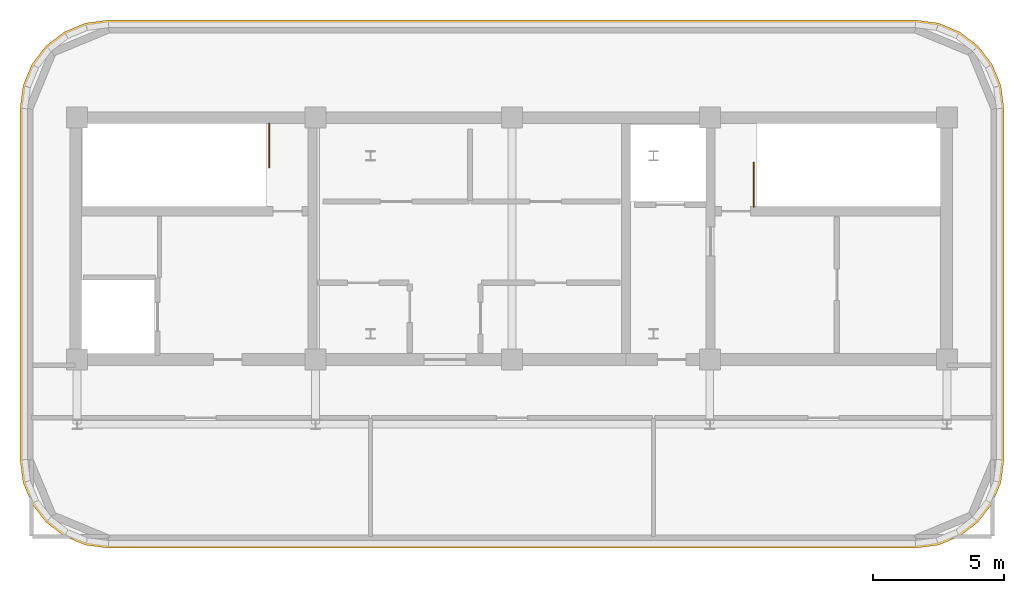
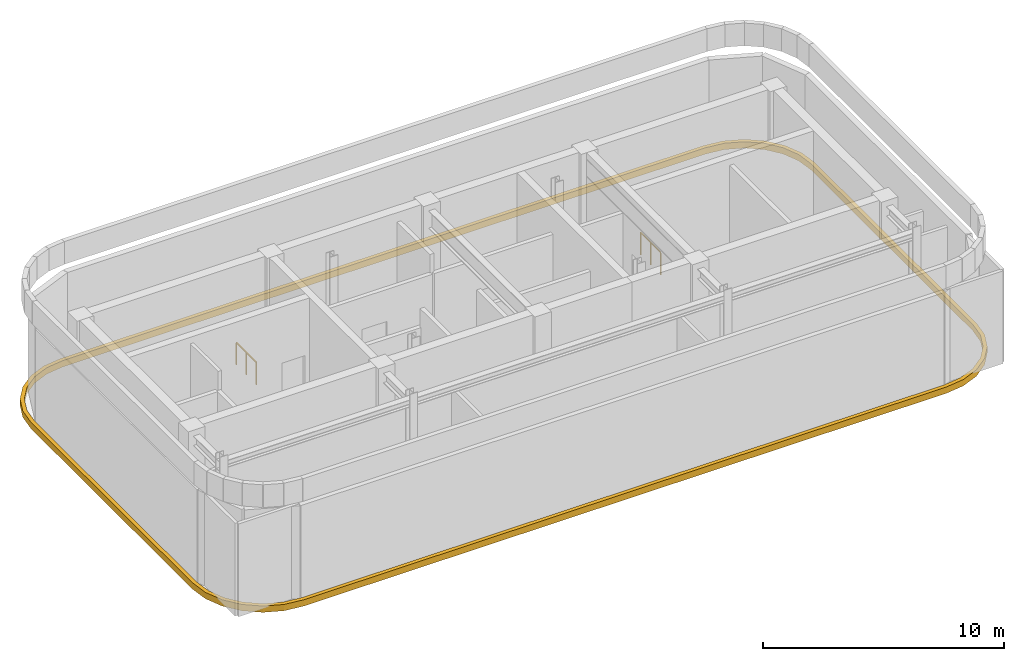
# One storey, part 4 of 4: 2 railings, 1 covering.
"""IFC4 building model written with IfcOpenShell, lengths in metres."""

from ifc_helpers import new_model, si_unit, direction, frame, origin, origin_2d, place, context, subcontext, project, spatial, polyline, rectangle, outline, extrude, material, type_object, element, save


model = new_model("IFC4")

# Units and contexts
model_context = context("Model", 3, precision=1e-05, world=origin(), true_north=direction((0.0, 1.0)))
body_context = subcontext(model_context, "Body", "Model", "MODEL_VIEW")
ifc_project = project(units=[si_unit("LENGTHUNIT", "METRE"), si_unit("AREAUNIT", "SQUARE_METRE"), si_unit("VOLUMEUNIT", "CUBIC_METRE"), si_unit("PLANEANGLEUNIT", "RADIAN"), si_unit("MASSUNIT", "GRAM", prefix="KILO")], contexts=[model_context])

# Site, building, storey
site_placement = place(None, origin())
site = spatial("IfcSite", under=ifc_project, at=site_placement, CompositionType="ELEMENT")
building_placement = place(site_placement, origin())
building = spatial("IfcBuilding", under=site, at=building_placement, Name="Zarnavel Station Tower", CompositionType="ELEMENT")
storey_placement = place(building_placement, frame((0.0, 0.0, 286.60009765625)))
storey = spatial("IfcBuildingStorey", under=building, at=storey_placement, Name="L77", CompositionType="ELEMENT", Elevation=286.60009765625)

# Covering
ifc_material_1 = material(Name="Precast concrete C45/55 (Pale Travertine Slab Band)", Category="masonry")
covering_type = type_object("IfcCoveringType", Name="COV_TRAVERTINE_BAND", PredefinedType="CLADDING", material=ifc_material_1)
covering_placement = place(storey_placement, frame((0.0, 0.0, -0.260009765625)))
element("IfcCovering", 1, at=covering_placement, inside=storey, type_object=covering_type, Name="L77 Pale Travertine Slab-Edge Band", PredefinedType="CLADDING", context=body_context, shape_type="SweptSolid", body=[
    extrude(outline(polyline([(44.199951171875, 20.6201171875), (45.07470703125, 20.735107421875), (45.889892578125, 21.07275390625), (46.590087890625, 21.610107421875), (47.127197265625, 22.31005859375), (47.46484375, 23.125244140625), (47.580078125, 24.0), (47.580078125, 37.39990234375), (47.46484375, 38.27490234375), (47.127197265625, 39.090087890625), (46.590087890625, 39.7900390625), (45.889892578125, 40.3271484375), (45.07470703125, 40.664794921875), (44.199951171875, 40.780029296875), (13.39990234375, 40.780029296875), (12.525146484375, 40.664794921875), (11.7099609375, 40.3271484375), (11.010009765625, 39.7900390625), (10.472900390625, 39.090087890625), (10.13525390625, 38.27490234375), (10.02001953125, 37.39990234375), (10.02001953125, 24.0), (10.13525390625, 23.125244140625), (10.472900390625, 22.31005859375), (11.010009765625, 21.610107421875), (11.7099609375, 21.07275390625), (12.525146484375, 20.735107421875), (13.39990234375, 20.6201171875), (44.199951171875, 20.6201171875)]), holes=[polyline([(44.199951171875, 20.800048828125), (45.0283203125, 20.908935546875), (45.800048828125, 21.228759765625), (46.462646484375, 21.7373046875), (46.97119140625, 22.39990234375), (47.291015625, 23.171875), (47.39990234375, 24.0), (47.39990234375, 37.39990234375), (47.291015625, 38.228271484375), (46.97119140625, 39.0), (46.462646484375, 39.66259765625), (45.800048828125, 40.17138671875), (45.0283203125, 40.490966796875), (44.199951171875, 40.60009765625), (13.39990234375, 40.60009765625), (12.57177734375, 40.490966796875), (11.800048828125, 40.17138671875), (11.13720703125, 39.66259765625), (10.628662109375, 39.0), (10.30908203125, 38.228271484375), (10.199951171875, 37.39990234375), (10.199951171875, 24.0), (10.30908203125, 23.171875), (10.628662109375, 22.39990234375), (11.13720703125, 21.7373046875), (11.800048828125, 21.228759765625), (12.57177734375, 20.908935546875), (13.39990234375, 20.800048828125), (44.199951171875, 20.800048828125)])]), origin(), (0.0, 0.0, 1.0), 0.31982421875),
])

# Railings
ifc_material_2 = material(Name="Painted Steel S355J2 Balustrade", Category="steel")
railing_type = type_object("IfcRailingType", Name="GR_INT_1150", PredefinedType="GUARDRAIL", material=ifc_material_2)
railing_1_placement = place(storey_placement, frame((19.530029296875, 36.820068359375, 0.0)))
element("IfcRailing", 2, at=railing_1_placement, inside=storey, type_object=railing_type, Name="L77 ST1 top well guard 1", PredefinedType="GUARDRAIL", context=body_context, shape_type="SweptSolid", body=[
    extrude(rectangle(XDim=0.048095703125, YDim=0.048095703125, at=origin_2d()), frame((0.0, -0.001953125, 1.1259765625), z_axis=(0.0, -1.0, 0.0), x_axis=(1.0, 0.0, 0.0)), (0.0, 0.0, 1.0), 1.65625),
    extrude(rectangle(XDim=0.0419921875, YDim=0.0419921875, at=origin_2d()), origin(), (0.0, 0.0, 1.0), 1.101806640625),
    extrude(rectangle(XDim=0.0419921875, YDim=0.0419921875, at=origin_2d()), frame((0.0, -0.830078125, 0.0)), (0.0, 0.0, 1.0), 1.101806640625),
    extrude(rectangle(XDim=0.0419921875, YDim=0.0419921875, at=origin_2d()), frame((0.0, -1.66015625, 0.0)), (0.0, 0.0, 1.0), 1.101806640625),
])
railing_2_placement = place(storey_placement, frame((38.030029296875, 33.659912109375, 0.0)))
element("IfcRailing", 3, at=railing_2_placement, inside=storey, type_object=railing_type, Name="L77 ST2 top well guard 1", PredefinedType="GUARDRAIL", context=body_context, shape_type="SweptSolid", body=[
    extrude(rectangle(XDim=0.048095703125, YDim=0.048095703125, at=origin_2d()), frame((0.0, 0.001953125, 1.1259765625), z_axis=(0.0, 1.0, 0.0), x_axis=(-1.0, 0.0, 0.0)), (0.0, 0.0, 1.0), 1.65625),
    extrude(rectangle(XDim=0.0419921875, YDim=0.0419921875, at=origin_2d()), origin(), (0.0, 0.0, 1.0), 1.101806640625),
    extrude(rectangle(XDim=0.0419921875, YDim=0.0419921875, at=origin_2d()), frame((0.0, 0.830078125, 0.0)), (0.0, 0.0, 1.0), 1.101806640625),
    extrude(rectangle(XDim=0.0419921875, YDim=0.0419921875, at=origin_2d()), frame((0.0, 1.66015625, 0.0)), (0.0, 0.0, 1.0), 1.101806640625),
])

save(model, "model.ifc")
